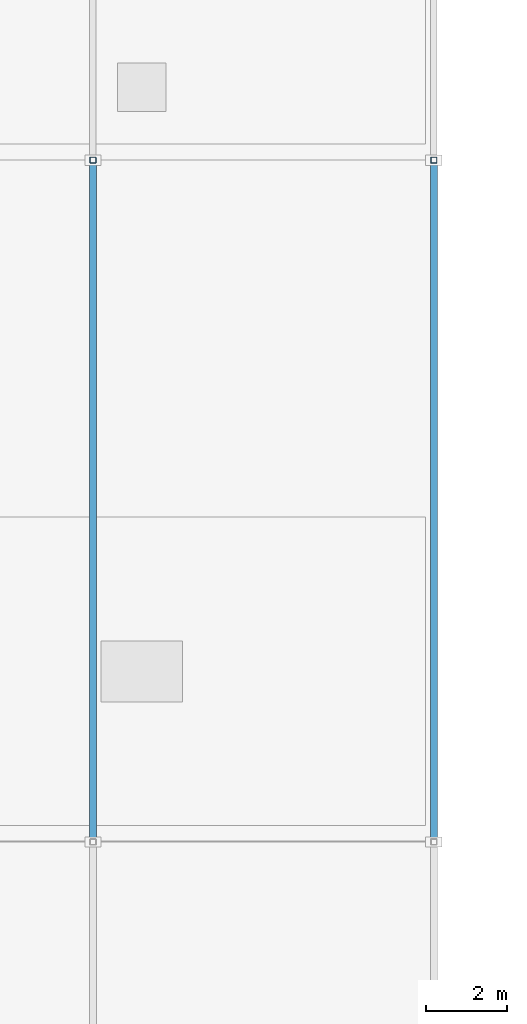
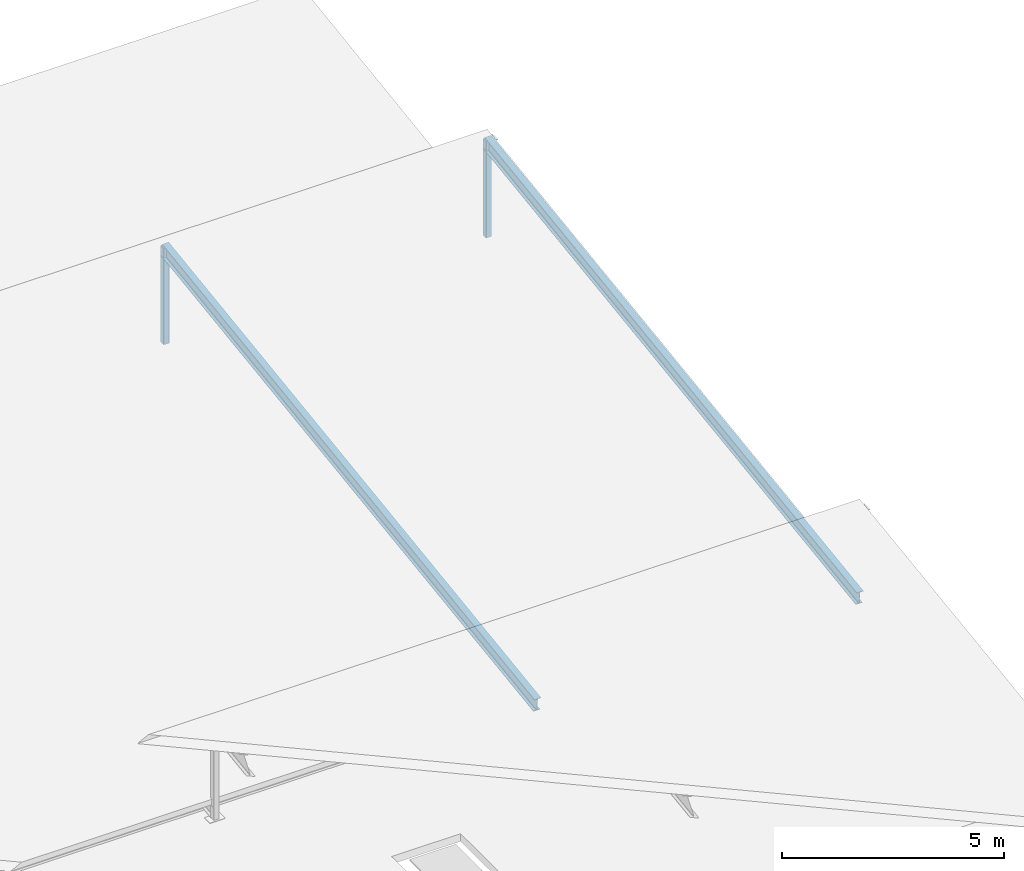
# One storey, part 6 of 12: 2 beams, 2 members.
"""IFC4 building model written with IfcOpenShell, lengths in metres."""

from ifc_helpers import new_model, si_unit, direction, frame, origin, origin_2d, place, context, subcontext, project, spatial, hollow_rectangle, i_section, extrude, material, material_profile, profile_set, type_object, element, save


model = new_model("IFC4")

# Units and contexts
model_context = context("Model", 3, precision=1e-05, world=origin(), true_north=direction((0.0, 1.0)))
body_context = subcontext(model_context, "Body", "Model", "MODEL_VIEW")
ifc_project = project(units=[si_unit("LENGTHUNIT", "METRE"), si_unit("AREAUNIT", "SQUARE_METRE"), si_unit("VOLUMEUNIT", "CUBIC_METRE"), si_unit("PLANEANGLEUNIT", "RADIAN"), si_unit("MASSUNIT", "GRAM", prefix="KILO")], contexts=[model_context])

# Site, building, storey
site_placement = place(None, origin())
site = spatial("IfcSite", under=ifc_project, at=site_placement, CompositionType="ELEMENT")
building_placement = place(site_placement, origin())
building = spatial("IfcBuilding", under=site, at=building_placement, Name="Varnapada Polytechnic", CompositionType="ELEMENT")
storey_placement = place(building_placement, frame((0.0, 0.0, 30.60009765625)))
storey = spatial("IfcBuildingStorey", under=building, at=storey_placement, Name="Roof", CompositionType="ELEMENT", Elevation=30.60009765625)

# Members
ifc_material = material(Name="Steel S355", Category="steel")
ifc_material_profile_1 = material_profile(ifc_material, hollow_rectangle(XDim=0.14990234375, YDim=0.14990234375, WallThickness=0.00634765625, InnerFilletRadius=0.006103515625, OuterFilletRadius=0.011962890625, at=origin_2d()), Name="SHS 150x150x6.3")
ifc_profile_set_1 = profile_set([ifc_material_profile_1], Name="Steel S355")
member_type = type_object("IfcMemberType", Name="Sawtooth north-light mullion post SFP-02 (SHS 150x150x6.3)", PredefinedType="POST", material=ifc_profile_set_1)
for number, where, z_axis, x_axis, name in (
    (1, (16.800048828125, 109.199951171875, -0.02001953125), (0.0, 0.0, 1.0), (1.0, 0.0, 0.0), "Studio sawtooth north-light post 3.3"),
    (2, (25.199951171875, 109.199951171875, -0.02001953125), (0.0, 0.0, 1.0), (1.0, 0.0, 0.0), "Studio sawtooth north-light post 3.4"),
):
    element("IfcMember", number, at=place(storey_placement, frame(where, z_axis=z_axis, x_axis=x_axis)), inside=storey, type_object=member_type, Name=name, PredefinedType="POST", context=body_context, shape_type="SweptSolid", body=[
        extrude(hollow_rectangle(XDim=0.14990234375, YDim=0.14990234375, WallThickness=0.00634765625, InnerFilletRadius=0.006103515625, OuterFilletRadius=0.011962890625, at=origin_2d()), origin(), (0.0, 0.0, 1.0), 2.64990234375),
    ])

# Beams
ifc_material_profile_2 = material_profile(ifc_material, i_section(OverallWidth=0.169921875, OverallDepth=0.360107421875, WebThickness=0.008056640625, FlangeThickness=0.0126953125, FilletRadius=0.01806640625, at=origin_2d()), Name="IPE 360")
ifc_profile_set_2 = profile_set([ifc_material_profile_2], Name="Steel S355")
beam_type = type_object("IfcBeamType", Name="Sawtooth studio roof rafter SB-03 (IPE 360)", PredefinedType="BEAM", material=ifc_profile_set_2)
for number, where, z_axis, x_axis, name in (
    (3, (16.800048828125, 92.39990234375, 0.18994140625), (0.0, 0.990278055144, 0.139102025504), (-1.0, 0.0, 0.0), "Studio sawtooth rafter 3.3"),
    (4, (25.199951171875, 92.39990234375, 0.18994140625), (0.0, 0.990278055144, 0.139102025504), (-1.0, 0.0, 0.0), "Studio sawtooth rafter 3.4"),
):
    element("IfcBeam", number, at=place(storey_placement, frame(where, z_axis=z_axis, x_axis=x_axis)), inside=storey, type_object=beam_type, Name=name, PredefinedType="BEAM", context=body_context, shape_type="SweptSolid", body=[
        extrude(i_section(OverallWidth=0.169921875, OverallDepth=0.360107421875, WebThickness=0.008056640625, FlangeThickness=0.0126953125, FilletRadius=0.01806640625, at=origin_2d()), origin(), (0.0, 0.0, 1.0), 16.965087890625),
    ])

save(model, "model.ifc")
